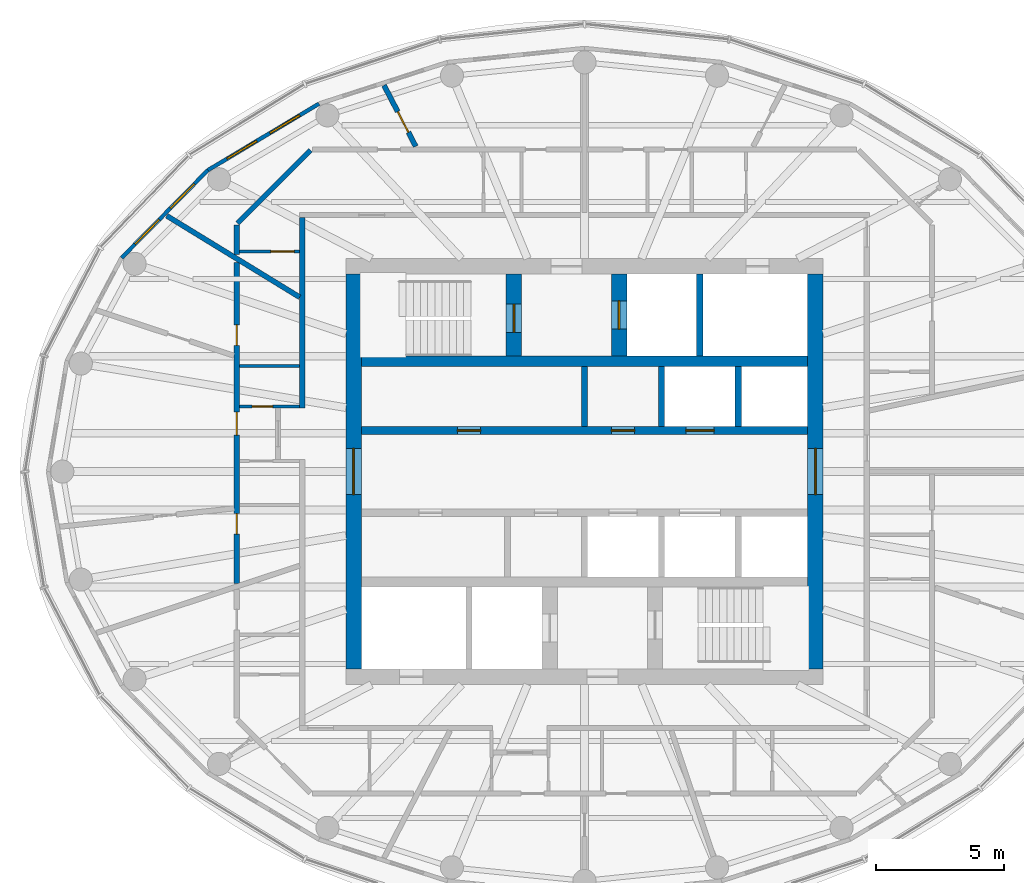
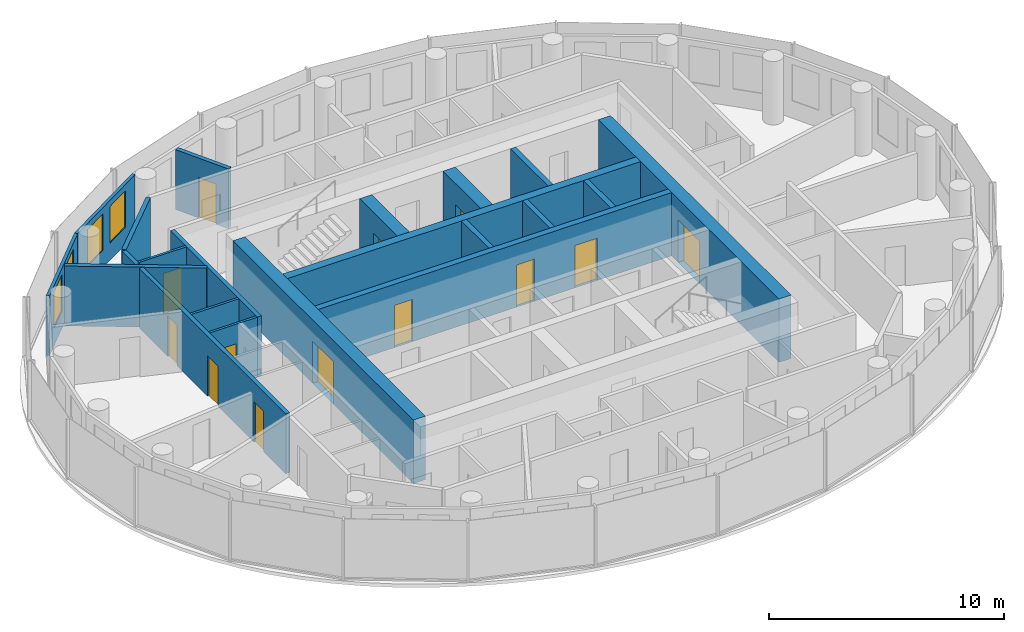
# One storey, part 7 of 11: 21 walls, 13 doors, 4 windows, 17 openings.
"""IFC4 building model written with IfcOpenShell, lengths in metres."""

from ifc_helpers import new_model, si_unit, direction, frame, frame_2d, origin, place, context, subcontext, project, spatial, rectangle, extrude, material, layer, layer_set, type_object, element, fill, save


model = new_model("IFC4")

# Units and contexts
model_context = context("Model", 3, precision=1e-05, world=origin(), true_north=direction((0.0, 1.0)))
body_context = subcontext(model_context, "Body", "Model", "MODEL_VIEW")
ifc_project = project(units=[si_unit("LENGTHUNIT", "METRE"), si_unit("AREAUNIT", "SQUARE_METRE"), si_unit("VOLUMEUNIT", "CUBIC_METRE"), si_unit("PLANEANGLEUNIT", "RADIAN"), si_unit("MASSUNIT", "GRAM", prefix="KILO")], contexts=[model_context])

# Site, building, storey
site_placement = place(None, origin())
site = spatial("IfcSite", under=ifc_project, at=site_placement, CompositionType="ELEMENT")
building_placement = place(site_placement, origin())
building = spatial("IfcBuilding", under=site, at=building_placement, Name="Hankou Lantern Tower", CompositionType="ELEMENT")
storey_placement = place(building_placement, frame((0.0, 0.0, 202.800048828125)))
storey = spatial("IfcBuildingStorey", under=building, at=storey_placement, Name="L54", CompositionType="ELEMENT", Elevation=202.800048828125)

# Wall, opening, door
ifc_material_1 = material(Name="Concrete C60", Category="concrete")
ifc_layer_1 = layer(ifc_material_1, 0.60009765625)
ifc_layer_set_1 = layer_set([ifc_layer_1], Name="Concrete C60")
wall_type_1 = type_object("IfcWallType", Name="CW3 CORE WALL 600", PredefinedType="SHEAR", material=ifc_layer_set_1)
wall_1_placement = place(storey_placement, frame((9.0, -7.699951171875, 0.0), z_axis=(0.0, 0.0, 1.0), x_axis=(0.0, 1.0, 0.0)))
wall_1 = element("IfcWall", 1, at=wall_1_placement, inside=storey, type_object=wall_type_1, Name="Core wall east L54", PredefinedType="SHEAR", context=body_context, shape_type="SweptSolid", body=[
    extrude(rectangle(XDim=15.39990234375, YDim=0.60009765625, at=frame_2d((7.699951171875, 0.0))), origin(), (0.0, 0.0, 1.0), 3.300048828125),
])
opening_1_placement = place(wall_1_placement, frame((6.800048828125, 0.0, 0.0)))
opening_1 = element("IfcOpeningElement", 2, at=opening_1_placement, cuts=wall_1, Name="Opening D6", PredefinedType="OPENING", context=body_context, shape_type="SweptSolid", body=[
    extrude(rectangle(XDim=1.800048828125, YDim=2.199951171875, at=frame_2d((0.89990234375, 1.10009765625))), frame((0.0, 0.31005859375, 0.0), z_axis=(0.0, -1.0, 0.0), x_axis=(1.0, 0.0, 0.0)), (0.0, 0.0, 1.0), 0.6201171875),
])
ifc_material_2 = material(Name="Steel door leaf", Category="steel")
door_type_1 = type_object("IfcDoorType", Name="D6 LIFT LOBBY DOOR 1800X2200", OperationType="DOUBLE_DOOR_DOUBLE_SWING", PredefinedType="DOOR", material=ifc_material_2)
door_1_placement = place(opening_1_placement, origin())
door_1 = element("IfcDoor", 3, at=door_1_placement, inside=storey, type_object=door_type_1, Name="Lift lobby east door", OperationType="DOUBLE_DOOR_DOUBLE_SWING", OverallHeight=2.199951171875, OverallWidth=1.800048828125, PredefinedType="DOOR", context=body_context, shape_type="SweptSolid", body=[
    extrude(rectangle(XDim=1.800048828125, YDim=2.199951171875, at=frame_2d((0.89990234375, 1.10009765625))), frame((0.0, 0.02490234375, 0.0), z_axis=(0.0, -1.0, 0.0), x_axis=(1.0, 0.0, 0.0)), (0.0, 0.0, 1.0), 0.050048828125),
])
fill(opening_1, door_1)

wall_2_placement = place(storey_placement, frame((-9.0, 7.699951171875, 0.0), z_axis=(0.0, 0.0, 1.0), x_axis=(0.0, -1.0, 0.0)))
wall_2 = element("IfcWall", 4, at=wall_2_placement, inside=storey, type_object=wall_type_1, Name="Core wall west L54", PredefinedType="SHEAR", context=body_context, shape_type="SweptSolid", body=[
    extrude(rectangle(XDim=15.39990234375, YDim=0.60009765625, at=frame_2d((7.699951171875, 0.0))), origin(), (0.0, 0.0, 1.0), 3.300048828125),
])
opening_2_placement = place(wall_2_placement, frame((6.800048828125, 0.0, 0.0)))
opening_2 = element("IfcOpeningElement", 5, at=opening_2_placement, cuts=wall_2, Name="Opening D6", PredefinedType="OPENING", context=body_context, shape_type="SweptSolid", body=[
    extrude(rectangle(XDim=1.800048828125, YDim=2.199951171875, at=frame_2d((0.89990234375, 1.10009765625))), frame((0.0, 0.31005859375, 0.0), z_axis=(0.0, -1.0, 0.0), x_axis=(1.0, 0.0, 0.0)), (0.0, 0.0, 1.0), 0.6201171875),
])
door_2_placement = place(opening_2_placement, origin())
door_2 = element("IfcDoor", 6, at=door_2_placement, inside=storey, type_object=door_type_1, Name="Lift lobby west door", OperationType="DOUBLE_DOOR_DOUBLE_SWING", OverallHeight=2.199951171875, OverallWidth=1.800048828125, PredefinedType="DOOR", context=body_context, shape_type="SweptSolid", body=[
    extrude(rectangle(XDim=1.800048828125, YDim=2.199951171875, at=frame_2d((0.89990234375, 1.10009765625))), frame((0.0, 0.02490234375, 0.0), z_axis=(0.0, -1.0, 0.0), x_axis=(1.0, 0.0, 0.0)), (0.0, 0.0, 1.0), 0.050048828125),
])
fill(opening_2, door_2)

# Wall
ifc_material_3 = material(Name="Concrete C60", Category="concrete")
ifc_layer_2 = layer(ifc_material_3, 0.39990234375)
ifc_layer_set_2 = layer_set([ifc_layer_2], Name="Concrete C60")
wall_type_2 = type_object("IfcWallType", Name="CW4 CORE CROSS WALL 400", PredefinedType="SHEAR", material=ifc_layer_set_2)
wall_3_placement = place(storey_placement, frame((-8.699951171875, 4.300048828125, 0.0), z_axis=(0.0, 0.0, 1.0), x_axis=(1.0, 0.0, 0.0)))
element("IfcWall", 7, at=wall_3_placement, inside=storey, type_object=wall_type_2, Name="Core band wall north L54", PredefinedType="SHEAR", context=body_context, shape_type="SweptSolid", body=[
    extrude(rectangle(XDim=17.39990234375, YDim=0.39990234375, at=frame_2d((8.699951171875, 0.0))), origin(), (0.0, 0.0, 1.0), 3.300048828125),
])

# Wall, openings, doors
ifc_material_4 = material(Name="Concrete C60", Category="concrete")
ifc_layer_3 = layer(ifc_material_4, 0.300048828125)
ifc_layer_set_3 = layer_set([ifc_layer_3], Name="Concrete C60")
wall_type_3 = type_object("IfcWallType", Name="CW5 LIFT LOBBY WALL 300", PredefinedType="SHEAR", material=ifc_layer_set_3)
wall_4_placement = place(storey_placement, frame((-8.699951171875, 1.60009765625, 0.0), z_axis=(0.0, 0.0, 1.0), x_axis=(1.0, 0.0, 0.0)))
wall_4 = element("IfcWall", 8, at=wall_4_placement, inside=storey, type_object=wall_type_3, Name="Lift lobby wall north L54", PredefinedType="SHEAR", context=body_context, shape_type="SweptSolid", body=[
    extrude(rectangle(XDim=17.39990234375, YDim=0.300048828125, at=frame_2d((8.699951171875, 0.0))), origin(), (0.0, 0.0, 1.0), 3.300048828125),
])
opening_3_placement = place(wall_4_placement, frame((12.64990234375, 0.0, 0.0)))
opening_3 = element("IfcOpeningElement", 9, at=opening_3_placement, cuts=wall_4, Name="Opening LD1", PredefinedType="OPENING", context=body_context, shape_type="SweptSolid", body=[
    extrude(rectangle(XDim=1.10009765625, YDim=2.199951171875, at=frame_2d((0.550048828125, 1.10009765625))), frame((0.0, 0.159912109375, 0.0), z_axis=(0.0, -1.0, 0.0), x_axis=(1.0, 0.0, 0.0)), (0.0, 0.0, 1.0), 0.320068359375),
])
opening_4_placement = place(wall_4_placement, frame((3.75, 0.0, 0.0)))
opening_4 = element("IfcOpeningElement", 10, at=opening_4_placement, cuts=wall_4, Name="Opening D30", PredefinedType="OPENING", context=body_context, shape_type="SweptSolid", body=[
    extrude(rectangle(XDim=0.89990234375, YDim=2.199951171875, at=frame_2d((0.449951171875, 1.10009765625))), frame((0.0, 0.159912109375, 0.0), z_axis=(0.0, -1.0, 0.0), x_axis=(1.0, 0.0, 0.0)), (0.0, 0.0, 1.0), 0.320068359375),
])
opening_5_placement = place(wall_4_placement, frame((9.75, 0.0, 0.0)))
opening_5 = element("IfcOpeningElement", 11, at=opening_5_placement, cuts=wall_4, Name="Opening D30", PredefinedType="OPENING", context=body_context, shape_type="SweptSolid", body=[
    extrude(rectangle(XDim=0.89990234375, YDim=2.199951171875, at=frame_2d((0.449951171875, 1.10009765625))), frame((0.0, 0.159912109375, 0.0), z_axis=(0.0, -1.0, 0.0), x_axis=(1.0, 0.0, 0.0)), (0.0, 0.0, 1.0), 0.320068359375),
])
ifc_material_5 = material(Name="Steel door leaf", Category="steel")
door_type_2 = type_object("IfcDoorType", Name="D30 CORE ROOM DOOR 900X2200", OperationType="SINGLE_SWING_LEFT", PredefinedType="DOOR", material=ifc_material_5)
door_3_placement = place(opening_4_placement, origin())
door_3 = element("IfcDoor", 12, at=door_3_placement, inside=storey, type_object=door_type_2, Name="Cleaner's store door", OperationType="SINGLE_SWING_LEFT", OverallHeight=2.199951171875, OverallWidth=0.89990234375, PredefinedType="DOOR", context=body_context, shape_type="SweptSolid", body=[
    extrude(rectangle(XDim=0.89990234375, YDim=2.199951171875, at=frame_2d((0.449951171875, 1.10009765625))), frame((0.0, 0.02490234375, 0.0), z_axis=(0.0, -1.0, 0.0), x_axis=(1.0, 0.0, 0.0)), (0.0, 0.0, 1.0), 0.050048828125),
])
fill(opening_4, door_3)
door_4_placement = place(opening_5_placement, origin())
door_4 = element("IfcDoor", 13, at=door_4_placement, inside=storey, type_object=door_type_2, Name="Minibar store door", OperationType="SINGLE_SWING_RIGHT", OverallHeight=2.199951171875, OverallWidth=0.89990234375, PredefinedType="DOOR", context=body_context, shape_type="SweptSolid", body=[
    extrude(rectangle(XDim=0.89990234375, YDim=2.199951171875, at=frame_2d((0.449951171875, 1.10009765625))), frame((0.0, 0.02490234375, 0.0), z_axis=(0.0, -1.0, 0.0), x_axis=(1.0, 0.0, 0.0)), (0.0, 0.0, 1.0), 0.050048828125),
])
fill(opening_5, door_4)
ifc_material_6 = material(Name="Steel door leaf", Category="steel")
door_type_3 = type_object("IfcDoorType", Name="LD1 LIFT LANDING DOOR 1100X2200", OperationType="DOUBLE_DOOR_SLIDING", PredefinedType="DOOR", material=ifc_material_6)
door_5_placement = place(opening_3_placement, origin())
door_5 = element("IfcDoor", 14, at=door_5_placement, inside=storey, type_object=door_type_3, Name="Lift T1 landing door", OperationType="DOUBLE_DOOR_SLIDING", OverallHeight=2.199951171875, OverallWidth=1.10009765625, PredefinedType="DOOR", context=body_context, shape_type="SweptSolid", body=[
    extrude(rectangle(XDim=1.10009765625, YDim=2.199951171875, at=frame_2d((0.550048828125, 1.10009765625))), frame((0.0, 0.02490234375, 0.0), z_axis=(0.0, -1.0, 0.0), x_axis=(1.0, 0.0, 0.0)), (0.0, 0.0, 1.0), 0.050048828125),
])
fill(opening_3, door_5)

# Wall, opening, door
ifc_material_7 = material(Name="Concrete C60", Category="concrete")
ifc_layer_4 = layer(ifc_material_7, 0.60009765625)
ifc_layer_set_4 = layer_set([ifc_layer_4], Name="Concrete C60")
wall_type_4 = type_object("IfcWallType", Name="CW6 STAIR AND SHAFT WALL 600", PredefinedType="SHEAR", material=ifc_layer_set_4)
wall_5_placement = place(storey_placement, frame((-2.75, 4.5, 0.0), z_axis=(0.0, 0.0, 1.0), x_axis=(0.0, 1.0, 0.0)))
wall_5 = element("IfcWall", 15, at=wall_5_placement, inside=storey, type_object=wall_type_4, Name="Stair wall L54", PredefinedType="SHEAR", context=body_context, shape_type="SweptSolid", body=[
    extrude(rectangle(XDim=3.199951171875, YDim=0.60009765625, at=frame_2d((1.60009765625, 0.0))), origin(), (0.0, 0.0, 1.0), 3.300048828125),
])
opening_6_placement = place(wall_5_placement, frame((0.925048828125, 0.0, 0.0)))
opening_6 = element("IfcOpeningElement", 16, at=opening_6_placement, cuts=wall_5, Name="Opening D4", PredefinedType="OPENING", context=body_context, shape_type="SweptSolid", body=[
    extrude(rectangle(XDim=1.10009765625, YDim=2.199951171875, at=frame_2d((0.550048828125, 1.10009765625))), frame((0.0, 0.31005859375, 0.0), z_axis=(0.0, -1.0, 0.0), x_axis=(1.0, 0.0, 0.0)), (0.0, 0.0, 1.0), 0.6201171875),
])
ifc_material_8 = material(Name="Steel door leaf", Category="steel")
door_type_4 = type_object("IfcDoorType", Name="D4 STAIR DOOR 1100X2200", OperationType="SINGLE_SWING_LEFT", PredefinedType="DOOR", material=ifc_material_8)
door_6_placement = place(opening_6_placement, origin())
door_6 = element("IfcDoor", 17, at=door_6_placement, inside=storey, type_object=door_type_4, Name="Stair A door", OperationType="SINGLE_SWING_LEFT", OverallHeight=2.199951171875, OverallWidth=1.10009765625, PredefinedType="DOOR", context=body_context, shape_type="SweptSolid", body=[
    extrude(rectangle(XDim=1.10009765625, YDim=2.199951171875, at=frame_2d((0.550048828125, 1.10009765625))), frame((0.0, 0.02490234375, 0.0), z_axis=(0.0, -1.0, 0.0), x_axis=(1.0, 0.0, 0.0)), (0.0, 0.0, 1.0), 0.050048828125),
])
fill(opening_6, door_6)

wall_6_placement = place(storey_placement, frame((1.35009765625, 4.5, 0.0), z_axis=(0.0, 0.0, 1.0), x_axis=(0.0, 1.0, 0.0)))
wall_6 = element("IfcWall", 18, at=wall_6_placement, inside=storey, type_object=wall_type_4, Name="Firefighting lift shaft wall L54", PredefinedType="SHEAR", context=body_context, shape_type="SweptSolid", body=[
    extrude(rectangle(XDim=3.199951171875, YDim=0.60009765625, at=frame_2d((1.60009765625, 0.0))), origin(), (0.0, 0.0, 1.0), 3.300048828125),
])
opening_7_placement = place(wall_6_placement, frame((1.050048828125, 0.0, 0.0)))
opening_7 = element("IfcOpeningElement", 19, at=opening_7_placement, cuts=wall_6, Name="Opening LD2", PredefinedType="OPENING", context=body_context, shape_type="SweptSolid", body=[
    extrude(rectangle(XDim=1.10009765625, YDim=2.199951171875, at=frame_2d((0.550048828125, 1.10009765625))), frame((0.0, 0.31005859375, 0.0), z_axis=(0.0, -1.0, 0.0), x_axis=(1.0, 0.0, 0.0)), (0.0, 0.0, 1.0), 0.6201171875),
])
ifc_material_9 = material(Name="Steel door leaf", Category="steel")
door_type_5 = type_object("IfcDoorType", Name="LD2 FIREFIGHTING LIFT LANDING DOOR 1100X2200", OperationType="DOUBLE_DOOR_SLIDING", PredefinedType="DOOR", material=ifc_material_9)
door_7_placement = place(opening_7_placement, origin())
door_7 = element("IfcDoor", 20, at=door_7_placement, inside=storey, type_object=door_type_5, Name="Firefighting lift FL1 landing door", OperationType="DOUBLE_DOOR_SLIDING", OverallHeight=2.199951171875, OverallWidth=1.10009765625, PredefinedType="DOOR", context=body_context, shape_type="SweptSolid", body=[
    extrude(rectangle(XDim=1.10009765625, YDim=2.199951171875, at=frame_2d((0.550048828125, 1.10009765625))), frame((0.0, 0.02490234375, 0.0), z_axis=(0.0, -1.0, 0.0), x_axis=(1.0, 0.0, 0.0)), (0.0, 0.0, 1.0), 0.050048828125),
])
fill(opening_7, door_7)

# Wall, openings, windows
ifc_material_10 = material(Name="Aluminium spandrel panel on steel studs", Category="steel")
ifc_layer_5 = layer(ifc_material_10, 0.14990234375)
ifc_layer_set_5 = layer_set([ifc_layer_5], Name="Aluminium spandrel panel on steel studs")
wall_type_5 = type_object("IfcWallType", Name="EW1 INNER SKIN WALL 150", PredefinedType="ELEMENTEDWALL", material=ifc_layer_set_5)
wall_7_placement = place(storey_placement, frame((-10.346435546875, 14.33642578125, 0.0), z_axis=(0.0, 0.0, 1.0), x_axis=(-0.85822150553, -0.513279502265, 0.0)))
wall_7 = element("IfcWall", 21, at=wall_7_placement, inside=storey, type_object=wall_type_5, Name="Inner skin R09-R10 L54", PredefinedType="ELEMENTEDWALL", context=body_context, shape_type="SweptSolid", body=[
    extrude(rectangle(XDim=5.050048828125, YDim=0.14990234375, at=frame_2d((2.52490234375, 0.0))), origin(), (0.0, 0.0, 1.0), 3.119873046875),
])
opening_8_placement = place(wall_7_placement, frame((0.875, 0.0, 0.89990234375)))
opening_8 = element("IfcOpeningElement", 22, at=opening_8_placement, cuts=wall_7, Name="Opening W4", PredefinedType="OPENING", context=body_context, shape_type="SweptSolid", body=[
    extrude(rectangle(XDim=1.35009765625, YDim=1.89990234375, at=frame_2d((0.675048828125, 0.949951171875))), frame((0.0, 0.0849609375, 0.0), z_axis=(0.0, -1.0, 0.0), x_axis=(1.0, 0.0, 0.0)), (0.0, 0.0, 1.0), 0.169921875),
])
opening_9_placement = place(wall_7_placement, frame((2.824951171875, 0.0, 0.89990234375)))
opening_9 = element("IfcOpeningElement", 23, at=opening_9_placement, cuts=wall_7, Name="Opening W4", PredefinedType="OPENING", context=body_context, shape_type="SweptSolid", body=[
    extrude(rectangle(XDim=1.35009765625, YDim=1.89990234375, at=frame_2d((0.675048828125, 0.949951171875))), frame((0.0, 0.0849609375, 0.0), z_axis=(0.0, -1.0, 0.0), x_axis=(1.0, 0.0, 0.0)), (0.0, 0.0, 1.0), 0.169921875),
])
ifc_material_11 = material(Name="Aluminium framed double glazed window", Category="aluminium")
window_type = type_object("IfcWindowType", Name="W4 SUITE WINDOW 1350X1900", PartitioningType="DOUBLE_PANEL_VERTICAL", PredefinedType="WINDOW", material=ifc_material_11)
window_1_placement = place(opening_8_placement, origin())
window_1 = element("IfcWindow", 24, at=window_1_placement, inside=storey, type_object=window_type, Name="Window R09.1 L54", OverallHeight=1.89990234375, OverallWidth=1.35009765625, PartitioningType="SINGLE_PANEL", PredefinedType="WINDOW", context=body_context, shape_type="SweptSolid", body=[
    extrude(rectangle(XDim=1.35009765625, YDim=1.89990234375, at=frame_2d((0.675048828125, 0.949951171875))), frame((0.0, 0.030029296875, 0.0), z_axis=(0.0, -1.0, 0.0), x_axis=(1.0, 0.0, 0.0)), (0.0, 0.0, 1.0), 0.06005859375),
])
fill(opening_8, window_1)
window_2_placement = place(opening_9_placement, origin())
window_2 = element("IfcWindow", 25, at=window_2_placement, inside=storey, type_object=window_type, Name="Window R09.2 L54", OverallHeight=1.89990234375, OverallWidth=1.35009765625, PartitioningType="SINGLE_PANEL", PredefinedType="WINDOW", context=body_context, shape_type="SweptSolid", body=[
    extrude(rectangle(XDim=1.35009765625, YDim=1.89990234375, at=frame_2d((0.675048828125, 0.949951171875))), frame((0.0, 0.030029296875, 0.0), z_axis=(0.0, -1.0, 0.0), x_axis=(1.0, 0.0, 0.0)), (0.0, 0.0, 1.0), 0.06005859375),
])
fill(opening_9, window_2)

wall_8_placement = place(storey_placement, frame((-14.680419921875, 11.744384765625, 0.0), z_axis=(0.0, 0.0, 1.0), x_axis=(-0.701527379618, -0.712642501993, 0.0)))
wall_8 = element("IfcWall", 26, at=wall_8_placement, inside=storey, type_object=wall_type_5, Name="Inner skin R10-R11 L54", PredefinedType="ELEMENTEDWALL", context=body_context, shape_type="SweptSolid", body=[
    extrude(rectangle(XDim=4.788330078125, YDim=0.14990234375, at=frame_2d((2.39404296875, 0.0))), origin(), (0.0, 0.0, 1.0), 3.119873046875),
])
opening_10_placement = place(wall_8_placement, frame((0.744140625, 0.0, 0.89990234375)))
opening_10 = element("IfcOpeningElement", 27, at=opening_10_placement, cuts=wall_8, Name="Opening W4", PredefinedType="OPENING", context=body_context, shape_type="SweptSolid", body=[
    extrude(rectangle(XDim=1.35009765625, YDim=1.89990234375, at=frame_2d((0.675048828125, 0.949951171875))), frame((0.0, 0.0849609375, 0.0), z_axis=(0.0, -1.0, 0.0), x_axis=(1.0, 0.0, 0.0)), (0.0, 0.0, 1.0), 0.169921875),
])
opening_11_placement = place(wall_8_placement, frame((2.694091796875, 0.0, 0.89990234375)))
opening_11 = element("IfcOpeningElement", 28, at=opening_11_placement, cuts=wall_8, Name="Opening W4", PredefinedType="OPENING", context=body_context, shape_type="SweptSolid", body=[
    extrude(rectangle(XDim=1.35009765625, YDim=1.89990234375, at=frame_2d((0.675048828125, 0.949951171875))), frame((0.0, 0.0849609375, 0.0), z_axis=(0.0, -1.0, 0.0), x_axis=(1.0, 0.0, 0.0)), (0.0, 0.0, 1.0), 0.169921875),
])
window_3_placement = place(opening_10_placement, origin())
window_3 = element("IfcWindow", 29, at=window_3_placement, inside=storey, type_object=window_type, Name="Window R10.1 L54", OverallHeight=1.89990234375, OverallWidth=1.35009765625, PartitioningType="SINGLE_PANEL", PredefinedType="WINDOW", context=body_context, shape_type="SweptSolid", body=[
    extrude(rectangle(XDim=1.35009765625, YDim=1.89990234375, at=frame_2d((0.675048828125, 0.949951171875))), frame((0.0, 0.030029296875, 0.0), z_axis=(0.0, -1.0, 0.0), x_axis=(1.0, 0.0, 0.0)), (0.0, 0.0, 1.0), 0.06005859375),
])
fill(opening_10, window_3)
window_4_placement = place(opening_11_placement, origin())
window_4 = element("IfcWindow", 30, at=window_4_placement, inside=storey, type_object=window_type, Name="Window R10.2 L54", OverallHeight=1.89990234375, OverallWidth=1.35009765625, PartitioningType="SINGLE_PANEL", PredefinedType="WINDOW", context=body_context, shape_type="SweptSolid", body=[
    extrude(rectangle(XDim=1.35009765625, YDim=1.89990234375, at=frame_2d((0.675048828125, 0.949951171875))), frame((0.0, 0.030029296875, 0.0), z_axis=(0.0, -1.0, 0.0), x_axis=(1.0, 0.0, 0.0)), (0.0, 0.0, 1.0), 0.06005859375),
])
fill(opening_11, window_4)

# Walls
ifc_material_12 = material(Name="Masonry lightweight concrete block", Category="masonry")
ifc_layer_6 = layer(ifc_material_12, 0.199951171875)
ifc_layer_set_6 = layer_set([ifc_layer_6], Name="Masonry lightweight concrete block")
wall_type_6 = type_object("IfcWallType", Name="IW1 GUEST ROOM PARTY WALL 200", PredefinedType="PARTITIONING", material=ifc_layer_set_6)
wall_9_placement = place(storey_placement, frame((-11.10009765625, 6.79736328125, 0.0), z_axis=(0.0, 0.0, 1.0), x_axis=(-0.852799818179, 0.522237943963, 0.0)))
element("IfcWall", 31, at=wall_9_placement, inside=storey, type_object=wall_type_6, Name="Party wall R10-R11", PredefinedType="PARTITIONING", context=body_context, shape_type="SweptSolid", body=[
    extrude(rectangle(XDim=6.076904296875, YDim=0.199951171875, at=frame_2d((3.03857421875, 0.0))), origin(), (0.0, 0.0, 1.0), 3.119873046875),
])
ifc_material_13 = material(Name="Masonry lightweight concrete block", Category="masonry")
ifc_layer_7 = layer(ifc_material_13, 0.199951171875)
ifc_layer_set_7 = layer_set([ifc_layer_7], Name="Masonry lightweight concrete block")
wall_type_7 = type_object("IfcWallType", Name="IW2 CORRIDOR WALL 200", PredefinedType="PARTITIONING", material=ifc_layer_set_7)
wall_10_placement = place(storey_placement, frame((-11.0, 9.89990234375, 0.0), z_axis=(0.0, 0.0, 1.0), x_axis=(0.0, -1.0, 0.0)))
element("IfcWall", 32, at=wall_10_placement, inside=storey, type_object=wall_type_7, Name="Corridor wall west", PredefinedType="PARTITIONING", context=body_context, shape_type="SweptSolid", body=[
    extrude(rectangle(XDim=7.41552734375, YDim=0.199951171875, at=frame_2d((3.707763671875, 0.0))), origin(), (0.0, 0.0, 1.0), 3.119873046875),
])

# Wall, opening, door
ifc_material_14 = material(Name="Masonry lightweight concrete block", Category="masonry")
ifc_layer_8 = layer(ifc_material_14, 0.1201171875)
ifc_layer_set_8 = layer_set([ifc_layer_8], Name="Masonry lightweight concrete block")
wall_type_8 = type_object("IfcWallType", Name="IW3 BATHROOM WALL 120", PredefinedType="PARTITIONING", material=ifc_layer_set_8)
wall_11_placement = place(storey_placement, frame((-11.10009765625, 8.57568359375, 0.0), z_axis=(0.0, 0.0, 1.0), x_axis=(-1.0, 0.0, 0.0)))
wall_11 = element("IfcWall", 33, at=wall_11_placement, inside=storey, type_object=wall_type_8, Name="Box wall 5403 3", PredefinedType="PARTITIONING", context=body_context, shape_type="SweptSolid", body=[
    extrude(rectangle(XDim=2.349853515625, YDim=0.1201171875, at=frame_2d((1.1748046875, 0.0))), origin(), (0.0, 0.0, 1.0), 3.119873046875),
])
opening_12_placement = place(wall_11_placement, frame((0.219970703125, 0.0, 0.0)))
opening_12 = element("IfcOpeningElement", 34, at=opening_12_placement, cuts=wall_11, Name="Opening D27", PredefinedType="OPENING", context=body_context, shape_type="SweptSolid", body=[
    extrude(rectangle(XDim=0.89990234375, YDim=2.10009765625, at=frame_2d((0.449951171875, 1.050048828125))), frame((0.0, 0.070068359375, 0.0), z_axis=(0.0, -1.0, 0.0), x_axis=(1.0, 0.0, 0.0)), (0.0, 0.0, 1.0), 0.14013671875),
])
ifc_material_15 = material(Name="Timber door leaf", Category="wood")
door_type_6 = type_object("IfcDoorType", Name="D27 INTERNAL DOOR 900X2100", OperationType="SINGLE_SWING_LEFT", PredefinedType="DOOR", material=ifc_material_15)
door_8_placement = place(opening_12_placement, origin())
door_8 = element("IfcDoor", 35, at=door_8_placement, inside=storey, type_object=door_type_6, Name="Suite 5403 walk-in wardrobe door", OperationType="SINGLE_SWING_LEFT", OverallHeight=2.10009765625, OverallWidth=0.89990234375, PredefinedType="DOOR", context=body_context, shape_type="SweptSolid", body=[
    extrude(rectangle(XDim=0.89990234375, YDim=2.10009765625, at=frame_2d((0.449951171875, 1.050048828125))), frame((0.0, 0.02490234375, 0.0), z_axis=(0.0, -1.0, 0.0), x_axis=(1.0, 0.0, 0.0)), (0.0, 0.0, 1.0), 0.050048828125),
])
fill(opening_12, door_8)

# Wall
wall_12_placement = place(storey_placement, frame((-11.10009765625, 4.115234375, 0.0), z_axis=(0.0, 0.0, 1.0), x_axis=(-1.0, 0.0, 0.0)))
element("IfcWall", 36, at=wall_12_placement, inside=storey, type_object=wall_type_8, Name="Box wall 5404 1", PredefinedType="PARTITIONING", context=body_context, shape_type="SweptSolid", body=[
    extrude(rectangle(XDim=2.349853515625, YDim=0.1201171875, at=frame_2d((1.1748046875, 0.0))), origin(), (0.0, 0.0, 1.0), 3.119873046875),
])

# Wall, opening, door
wall_13_placement = place(storey_placement, frame((-11.10009765625, 2.534423828125, 0.0), z_axis=(0.0, 0.0, 1.0), x_axis=(-1.0, 0.0, 0.0)))
wall_13 = element("IfcWall", 37, at=wall_13_placement, inside=storey, type_object=wall_type_8, Name="Box wall 5404 2", PredefinedType="PARTITIONING", context=body_context, shape_type="SweptSolid", body=[
    extrude(rectangle(XDim=2.349853515625, YDim=0.1201171875, at=frame_2d((1.1748046875, 0.0))), origin(), (0.0, 0.0, 1.0), 3.119873046875),
])
opening_13_placement = place(wall_13_placement, frame((1.050048828125, 0.0, 0.0)))
opening_13 = element("IfcOpeningElement", 38, at=opening_13_placement, cuts=wall_13, Name="Opening D3", PredefinedType="OPENING", context=body_context, shape_type="SweptSolid", body=[
    extrude(rectangle(XDim=0.800048828125, YDim=2.10009765625, at=frame_2d((0.39990234375, 1.050048828125))), frame((0.0, 0.070068359375, 0.0), z_axis=(0.0, -1.0, 0.0), x_axis=(1.0, 0.0, 0.0)), (0.0, 0.0, 1.0), 0.14013671875),
])
ifc_material_16 = material(Name="Timber door leaf", Category="wood")
door_type_7 = type_object("IfcDoorType", Name="D3 BATHROOM DOOR 800X2100", OperationType="SINGLE_SWING_LEFT", PredefinedType="DOOR", material=ifc_material_16)
door_9_placement = place(opening_13_placement, origin())
door_9 = element("IfcDoor", 39, at=door_9_placement, inside=storey, type_object=door_type_7, Name="Family suite 5404 guest WC door", OperationType="SINGLE_SWING_LEFT", OverallHeight=2.10009765625, OverallWidth=0.800048828125, PredefinedType="DOOR", context=body_context, shape_type="SweptSolid", body=[
    extrude(rectangle(XDim=0.800048828125, YDim=2.10009765625, at=frame_2d((0.39990234375, 1.050048828125))), frame((0.0, 0.02490234375, 0.0), z_axis=(0.0, -1.0, 0.0), x_axis=(1.0, 0.0, 0.0)), (0.0, 0.0, 1.0), 0.050048828125),
])
fill(opening_13, door_9)

# Walls
ifc_material_17 = material(Name="Masonry lightweight concrete block", Category="masonry")
ifc_layer_9 = layer(ifc_material_17, 0.199951171875)
ifc_layer_set_9 = layer_set([ifc_layer_9], Name="Masonry lightweight concrete block")
wall_type_9 = type_object("IfcWallType", Name="IW6 SUITE PARTITION 200", PredefinedType="PARTITIONING", material=ifc_layer_set_9)
wall_14_placement = place(storey_placement, frame((-10.67919921875, 12.520751953125, 0.0), z_axis=(0.0, 0.0, 1.0), x_axis=(-0.707106781187, -0.707106781187, 0.0)))
element("IfcWall", 40, at=wall_14_placement, inside=storey, type_object=wall_type_9, Name="Suite foyer wall 5403", PredefinedType="PARTITIONING", context=body_context, shape_type="SweptSolid", body=[
    extrude(rectangle(XDim=4.0185546875, YDim=0.199951171875, at=frame_2d((2.00927734375, 0.0))), origin(), (0.0, 0.0, 1.0), 3.119873046875),
])
wall_15_placement = place(storey_placement, frame((-13.550048828125, 9.608642578125, 0.0), z_axis=(0.0, 0.0, 1.0), x_axis=(0.0, -1.0, 0.0)))
element("IfcWall", 41, at=wall_15_placement, inside=storey, type_object=wall_type_9, Name="Suite foyer wall 5403", PredefinedType="PARTITIONING", context=body_context, shape_type="SweptSolid", body=[
    extrude(rectangle(XDim=1.152587890625, YDim=0.199951171875, at=frame_2d((0.576171875, 0.0))), origin(), (0.0, 0.0, 1.0), 3.119873046875),
])

# Wall, opening, door
wall_16_placement = place(storey_placement, frame((-6.578125, 12.676513671875, 0.0), z_axis=(0.0, 0.0, 1.0), x_axis=(-0.460620531465, 0.887597164255, 0.0)))
wall_16 = element("IfcWall", 42, at=wall_16_placement, inside=storey, type_object=wall_type_9, Name="Suite partition R08-R09", PredefinedType="PARTITIONING", context=body_context, shape_type="SweptSolid", body=[
    extrude(rectangle(XDim=2.677734375, YDim=0.199951171875, at=frame_2d((1.3388671875, 0.0))), origin(), (0.0, 0.0, 1.0), 3.119873046875),
])
opening_14_placement = place(wall_16_placement, frame((0.6201171875, 0.0, 0.0)))
opening_14 = element("IfcOpeningElement", 43, at=opening_14_placement, cuts=wall_16, Name="Opening D27", PredefinedType="OPENING", context=body_context, shape_type="SweptSolid", body=[
    extrude(rectangle(XDim=0.89990234375, YDim=2.10009765625, at=frame_2d((0.449951171875, 1.050048828125))), frame((0.0, 0.10986328125, 0.0), z_axis=(0.0, -1.0, 0.0), x_axis=(1.0, 0.0, 0.0)), (0.0, 0.0, 1.0), 0.219970703125),
])
door_10_placement = place(opening_14_placement, origin())
door_10 = element("IfcDoor", 44, at=door_10_placement, inside=storey, type_object=door_type_6, Name="Suite 5403 bedroom door", OperationType="SINGLE_SWING_LEFT", OverallHeight=2.10009765625, OverallWidth=0.89990234375, PredefinedType="DOOR", context=body_context, shape_type="SweptSolid", body=[
    extrude(rectangle(XDim=0.89990234375, YDim=2.10009765625, at=frame_2d((0.449951171875, 1.050048828125))), frame((0.0, 0.02490234375, 0.0), z_axis=(0.0, -1.0, 0.0), x_axis=(1.0, 0.0, 0.0)), (0.0, 0.0, 1.0), 0.050048828125),
])
fill(opening_14, door_10)

# Wall, openings, doors
wall_17_placement = place(storey_placement, frame((-13.550048828125, 8.13916015625, 0.0), z_axis=(0.0, 0.0, 1.0), x_axis=(0.0, -1.0, 0.0)))
wall_17 = element("IfcWall", 45, at=wall_17_placement, inside=storey, type_object=wall_type_9, Name="Suite foyer wall 5404", PredefinedType="PARTITIONING", context=body_context, shape_type="SweptSolid", body=[
    extrude(rectangle(XDim=12.496337890625, YDim=0.199951171875, at=frame_2d((6.248046875, 0.0))), origin(), (0.0, 0.0, 1.0), 3.119873046875),
])
opening_15_placement = place(wall_17_placement, frame((2.419921875, 0.0, 0.0)))
opening_15 = element("IfcOpeningElement", 46, at=opening_15_placement, cuts=wall_17, Name="Opening D3", PredefinedType="OPENING", context=body_context, shape_type="SweptSolid", body=[
    extrude(rectangle(XDim=0.800048828125, YDim=2.10009765625, at=frame_2d((0.39990234375, 1.050048828125))), frame((0.0, 0.10986328125, 0.0), z_axis=(0.0, -1.0, 0.0), x_axis=(1.0, 0.0, 0.0)), (0.0, 0.0, 1.0), 0.219970703125),
])
opening_16_placement = place(wall_17_placement, frame((9.775634765625, 0.0, 0.0)))
opening_16 = element("IfcOpeningElement", 47, at=opening_16_placement, cuts=wall_17, Name="Opening D3", PredefinedType="OPENING", context=body_context, shape_type="SweptSolid", body=[
    extrude(rectangle(XDim=0.800048828125, YDim=2.10009765625, at=frame_2d((0.39990234375, 1.050048828125))), frame((0.0, 0.10986328125, 0.0), z_axis=(0.0, -1.0, 0.0), x_axis=(1.0, 0.0, 0.0)), (0.0, 0.0, 1.0), 0.219970703125),
])
opening_17_placement = place(wall_17_placement, frame((5.820068359375, 0.0, 0.0)))
opening_17 = element("IfcOpeningElement", 48, at=opening_17_placement, cuts=wall_17, Name="Opening D27", PredefinedType="OPENING", context=body_context, shape_type="SweptSolid", body=[
    extrude(rectangle(XDim=0.89990234375, YDim=2.10009765625, at=frame_2d((0.449951171875, 1.050048828125))), frame((0.0, 0.10986328125, 0.0), z_axis=(0.0, -1.0, 0.0), x_axis=(1.0, 0.0, 0.0)), (0.0, 0.0, 1.0), 0.219970703125),
])
door_11_placement = place(opening_17_placement, origin())
door_11 = element("IfcDoor", 49, at=door_11_placement, inside=storey, type_object=door_type_6, Name="Family suite 5404 living room door", OperationType="SINGLE_SWING_LEFT", OverallHeight=2.10009765625, OverallWidth=0.89990234375, PredefinedType="DOOR", context=body_context, shape_type="SweptSolid", body=[
    extrude(rectangle(XDim=0.89990234375, YDim=2.10009765625, at=frame_2d((0.449951171875, 1.050048828125))), frame((0.0, 0.02490234375, 0.0), z_axis=(0.0, -1.0, 0.0), x_axis=(1.0, 0.0, 0.0)), (0.0, 0.0, 1.0), 0.050048828125),
])
fill(opening_17, door_11)
door_12_placement = place(opening_15_placement, origin())
door_12 = element("IfcDoor", 50, at=door_12_placement, inside=storey, type_object=door_type_7, Name="Family suite 5404 bathroom door", OperationType="SINGLE_SWING_RIGHT", OverallHeight=2.10009765625, OverallWidth=0.800048828125, PredefinedType="DOOR", context=body_context, shape_type="SweptSolid", body=[
    extrude(rectangle(XDim=0.800048828125, YDim=2.10009765625, at=frame_2d((0.39990234375, 1.050048828125))), frame((0.0, 0.02490234375, 0.0), z_axis=(0.0, -1.0, 0.0), x_axis=(1.0, 0.0, 0.0)), (0.0, 0.0, 1.0), 0.050048828125),
])
fill(opening_15, door_12)
door_13_placement = place(opening_16_placement, origin())
door_13 = element("IfcDoor", 51, at=door_13_placement, inside=storey, type_object=door_type_7, Name="Family suite 5404 second bathroom door", OperationType="SINGLE_SWING_LEFT", OverallHeight=2.10009765625, OverallWidth=0.800048828125, PredefinedType="DOOR", context=body_context, shape_type="SweptSolid", body=[
    extrude(rectangle(XDim=0.800048828125, YDim=2.10009765625, at=frame_2d((0.39990234375, 1.050048828125))), frame((0.0, 0.02490234375, 0.0), z_axis=(0.0, -1.0, 0.0), x_axis=(1.0, 0.0, 0.0)), (0.0, 0.0, 1.0), 0.050048828125),
])
fill(opening_16, door_13)

# Walls
ifc_material_18 = material(Name="Masonry autoclaved aerated concrete block", Category="masonry")
ifc_layer_10 = layer(ifc_material_18, 0.25)
ifc_layer_set_10 = layer_set([ifc_layer_10], Name="Masonry autoclaved aerated concrete block")
wall_type_10 = type_object("IfcWallType", Name="SW1 SHAFT BLOCK WALL 250", PredefinedType="PARTITIONING", material=ifc_layer_set_10)
wall_18_placement = place(storey_placement, frame((4.5, 4.5, 0.0), z_axis=(0.0, 0.0, 1.0), x_axis=(0.0, 1.0, 0.0)))
element("IfcWall", 52, at=wall_18_placement, inside=storey, type_object=wall_type_10, Name="Riser wall L54", PredefinedType="PARTITIONING", context=body_context, shape_type="SweptSolid", body=[
    extrude(rectangle(XDim=3.199951171875, YDim=0.25, at=frame_2d((1.60009765625, 0.0))), origin(), (0.0, 0.0, 1.0), 3.300048828125),
])
for number, where, z_axis, x_axis, name in (
    (53, (0.0, 1.75, 0.0), (0.0, 0.0, 1.0), (0.0, 1.0, 0.0), "Lift shaft wall L54"),
    (54, (3.0, 1.75, 0.0), (0.0, 0.0, 1.0), (0.0, 1.0, 0.0), "Lift shaft wall L54"),
    (55, (6.0, 1.75, 0.0), (0.0, 0.0, 1.0), (0.0, 1.0, 0.0), "Lift shaft wall L54"),
):
    element("IfcWall", number, at=place(storey_placement, frame(where, z_axis=z_axis, x_axis=x_axis)), inside=storey, type_object=wall_type_10, Name=name, PredefinedType="PARTITIONING", context=body_context, shape_type="SweptSolid", body=[
        extrude(rectangle(XDim=2.35009765625, YDim=0.25, at=frame_2d((1.175048828125, 0.0))), origin(), (0.0, 0.0, 1.0), 3.300048828125),
    ])

save(model, "model.ifc")
